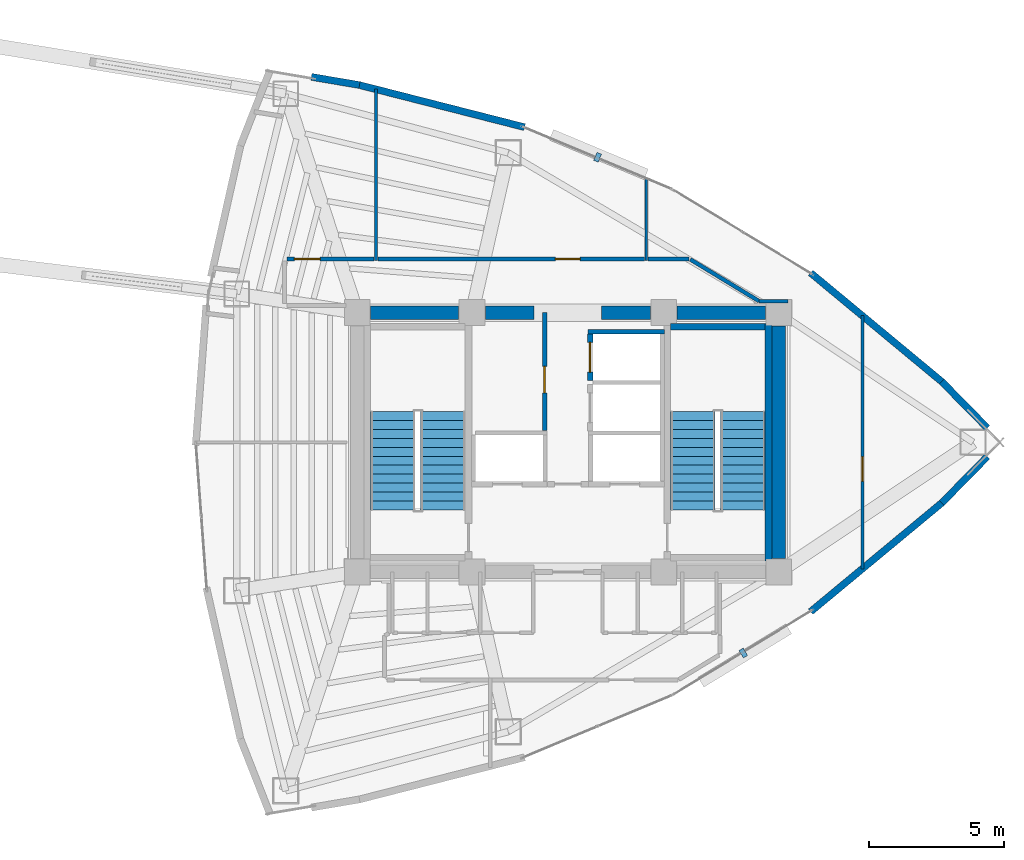
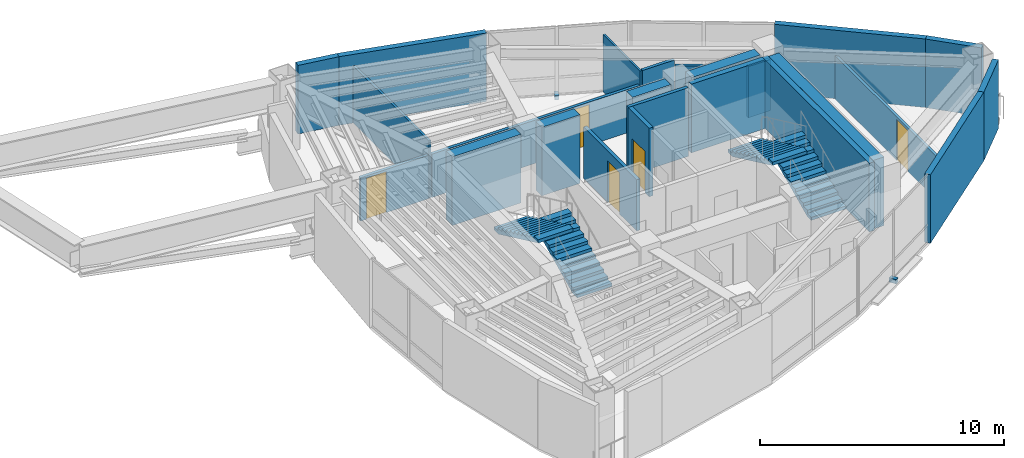
# One storey, part 12 of 14: 24 walls, 5 doors, 4 stair flights, 2 discrete accessories, 5 openings, 2 elements without a shape of their own.
"""IFC4 building model written with IfcOpenShell, lengths in metres."""

from ifc_helpers import new_model, si_unit, direction, frame, frame_2d, origin, origin_2d, place, context, subcontext, project, spatial, polyline, rectangle, outline, extrude, material, layer, layer_set, type_object, element, fill, aggregate, save


model = new_model("IFC4")

# Units and contexts
model_context = context("Model", 3, precision=1e-05, world=origin(), true_north=direction((0.0, 1.0)))
body_context = subcontext(model_context, "Body", "Model", "MODEL_VIEW")
ifc_project = project(units=[si_unit("LENGTHUNIT", "METRE"), si_unit("AREAUNIT", "SQUARE_METRE"), si_unit("VOLUMEUNIT", "CUBIC_METRE"), si_unit("PLANEANGLEUNIT", "RADIAN"), si_unit("MASSUNIT", "GRAM", prefix="KILO")], contexts=[model_context])

# Site, building, storey
site_placement = place(None, origin())
site = spatial("IfcSite", under=ifc_project, at=site_placement, CompositionType="ELEMENT")
building_placement = place(site_placement, origin())
building = spatial("IfcBuilding", under=site, at=building_placement, Name="Menara Vayukalpa", CompositionType="ELEMENT")
storey_placement = place(building_placement, frame((0.0, 0.0, 191.52001953125)))
storey = spatial("IfcBuildingStorey", under=building, at=storey_placement, Name="L48", CompositionType="ELEMENT", Elevation=191.52001953125)

# Walls
ifc_material_1 = material(Name="Concrete C60/75", Category="concrete")
ifc_layer_1 = layer(ifc_material_1, 0.5)
ifc_layer_set_1 = layer_set([ifc_layer_1], Name="Concrete C60/75")
wall_type_1 = type_object("IfcWallType", Name="WAL-CW500", PredefinedType="SHEAR", material=ifc_layer_set_1)
wall_1_placement = place(storey_placement, frame((18.294921875, 26.800048828125, 0.0), z_axis=(0.0, 0.0, 1.0), x_axis=(1.0, 0.0, 0.0)))
element("IfcWall", 1, at=wall_1_placement, inside=storey, type_object=wall_type_1, Name="L48 Buttressed Core Shear Wall CWN1", PredefinedType="SHEAR", context=body_context, shape_type="SweptSolid", body=[
    extrude(rectangle(XDim=3.260009765625, YDim=0.5, at=frame_2d((1.6298828125, 0.0))), origin(), (0.0, 0.0, 1.0), 3.43994140625),
])
wall_2_placement = place(storey_placement, frame((22.544921875, 26.800048828125, 0.0), z_axis=(0.0, 0.0, 1.0), x_axis=(1.0, 0.0, 0.0)))
element("IfcWall", 2, at=wall_2_placement, inside=storey, type_object=wall_type_1, Name="L48 Buttressed Core Shear Wall CWN2", PredefinedType="SHEAR", context=body_context, shape_type="SweptSolid", body=[
    extrude(rectangle(XDim=1.80517578125, YDim=0.5, at=frame_2d((0.902587890625, 0.0))), origin(), (0.0, 0.0, 1.0), 3.43994140625),
])
wall_3_placement = place(storey_placement, frame((26.85009765625, 26.800048828125, 0.0), z_axis=(0.0, 0.0, 1.0), x_axis=(1.0, 0.0, 0.0)))
element("IfcWall", 3, at=wall_3_placement, inside=storey, type_object=wall_type_1, Name="L48 Buttressed Core Shear Wall CWN3", PredefinedType="SHEAR", context=body_context, shape_type="SweptSolid", body=[
    extrude(rectangle(XDim=1.804931640625, YDim=0.5, at=frame_2d((0.90234375, 0.0))), origin(), (0.0, 0.0, 1.0), 3.43994140625),
])
wall_4_placement = place(storey_placement, frame((29.64501953125, 26.800048828125, 0.0), z_axis=(0.0, 0.0, 1.0), x_axis=(1.0, 0.0, 0.0)))
element("IfcWall", 4, at=wall_4_placement, inside=storey, type_object=wall_type_1, Name="L48 Buttressed Core Shear Wall CWN4", PredefinedType="SHEAR", context=body_context, shape_type="SweptSolid", body=[
    extrude(rectangle(XDim=3.260009765625, YDim=0.5, at=frame_2d((1.6298828125, 0.0))), origin(), (0.0, 0.0, 1.0), 3.43994140625),
])
wall_5_placement = place(storey_placement, frame((33.39990234375, 17.695068359375, 0.0), z_axis=(0.0, 0.0, 1.0), x_axis=(0.0, 1.0, 0.0)))
element("IfcWall", 5, at=wall_5_placement, inside=storey, type_object=wall_type_1, Name="L48 Buttressed Core Shear Wall CWE1", PredefinedType="SHEAR", context=body_context, shape_type="SweptSolid", body=[
    extrude(rectangle(XDim=8.60986328125, YDim=0.5, at=frame_2d((4.304931640625, 0.0))), origin(), (0.0, 0.0, 1.0), 3.43994140625),
])
ifc_material_2 = material(Name="Insulated Precast Concrete C40/50", Category="concrete")
ifc_layer_2 = layer(ifc_material_2, 0.260009765625)
ifc_layer_set_2 = layer_set([ifc_layer_2], Name="Insulated Precast Concrete C40/50")
wall_type_2 = type_object("IfcWallType", Name="WAL-EXT260", PredefinedType="PARTITIONING", material=ifc_layer_set_2)
for number, where, z_axis, x_axis, name in (
    (6, (41.11669921875, 21.466552734375, 0.0), (0.0, 0.0, 1.0), (-0.700567481584, -0.7135861572, 0.0), "L48 Perimeter Terracotta Pier Wall 01"),
    (7, (39.43505859375, 24.246337890625, 0.0), (0.0, 0.0, 1.0), (0.700567481584, -0.7135861572, 0.0), "L48 Perimeter Terracotta Pier Wall 02"),
):
    element("IfcWall", number, at=place(storey_placement, frame(where, z_axis=z_axis, x_axis=x_axis)), inside=storey, type_object=wall_type_2, Name=name, PredefinedType="PARTITIONING", context=body_context, shape_type="SweptSolid", body=[
        extrude(rectangle(XDim=2.400390625, YDim=0.260009765625, at=frame_2d((1.2001953125, 0.0))), origin(), (0.0, 0.0, 1.0), 3.43994140625),
    ])
wall_6_placement = place(storey_placement, frame((34.58251953125, 28.26953125, 0.0), z_axis=(0.0, 0.0, 1.0), x_axis=(0.769765373155, -0.638326930571, 0.0)))
element("IfcWall", 8, at=wall_6_placement, inside=storey, type_object=wall_type_2, Name="L48 Perimeter Terracotta Pier Wall 03", PredefinedType="PARTITIONING", context=body_context, shape_type="SweptSolid", body=[
    extrude(rectangle(XDim=6.3154296875, YDim=0.260009765625, at=frame_2d((3.15771484375, 0.0))), origin(), (0.0, 0.0, 1.0), 3.43994140625),
])
wall_7_placement = place(storey_placement, frame((17.8759765625, 35.22216796875, 0.0), z_axis=(0.0, 0.0, 1.0), x_axis=(0.968976240439, -0.247153890246, 0.0)))
element("IfcWall", 9, at=wall_7_placement, inside=storey, type_object=wall_type_2, Name="L48 Perimeter Terracotta Pier Wall 06", PredefinedType="PARTITIONING", context=body_context, shape_type="SweptSolid", body=[
    extrude(rectangle(XDim=6.31494140625, YDim=0.260009765625, at=frame_2d((3.157470703125, 0.0))), origin(), (0.0, 0.0, 1.0), 3.43994140625),
])
wall_8_placement = place(storey_placement, frame((16.10693359375, 35.52197265625, 0.0), z_axis=(0.0, 0.0, 1.0), x_axis=(0.985877723898, -0.167466753484, 0.0)))
element("IfcWall", 10, at=wall_8_placement, inside=storey, type_object=wall_type_2, Name="L48 Perimeter Terracotta Pier Wall 07", PredefinedType="PARTITIONING", context=body_context, shape_type="SweptSolid", body=[
    extrude(rectangle(XDim=1.80615234375, YDim=0.260009765625, at=frame_2d((0.903076171875, 0.0))), origin(), (0.0, 0.0, 1.0), 3.43994140625),
])
wall_9_placement = place(storey_placement, frame((39.44384765625, 19.76171875, 0.0), z_axis=(0.0, 0.0, 1.0), x_axis=(-0.769765373155, -0.638326930571, 0.0)))
element("IfcWall", 11, at=wall_9_placement, inside=storey, type_object=wall_type_2, Name="L48 Perimeter Terracotta Pier Wall 18", PredefinedType="PARTITIONING", context=body_context, shape_type="SweptSolid", body=[
    extrude(rectangle(XDim=6.3154296875, YDim=0.260009765625, at=frame_2d((3.15771484375, 0.0))), origin(), (0.0, 0.0, 1.0), 3.43994140625),
])
ifc_material_3 = material(Name="Lightweight Concrete Blockwork C16/20", Category="masonry")
ifc_layer_3 = layer(ifc_material_3, 0.159912109375)
ifc_layer_set_3 = layer_set([ifc_layer_3], Name="Lightweight Concrete Blockwork C16/20")
wall_type_3 = type_object("IfcWallType", Name="WAL-FR150", PredefinedType="PARTITIONING", material=ifc_layer_set_3)
wall_10_placement = place(storey_placement, frame((26.340087890625, 26.0849609375, 0.0), z_axis=(0.0, 0.0, 1.0), x_axis=(1.0, 0.0, 0.0)))
element("IfcWall", 12, at=wall_10_placement, inside=storey, type_object=wall_type_3, Name="L48 Interior Partition IW-L48-SHM-E2N", PredefinedType="PARTITIONING", context=body_context, shape_type="SweptSolid", body=[
    extrude(rectangle(XDim=2.829833984375, YDim=0.159912109375, at=frame_2d((1.4150390625, 0.0))), origin(), (0.0, 0.0, 1.0), 3.43994140625),
])

# Wall, opening, door
wall_11_placement = place(storey_placement, frame((24.739990234375, 22.429931640625, 0.0), z_axis=(0.0, 0.0, 1.0), x_axis=(0.0, 1.0, 0.0)))
wall_11 = element("IfcWall", 13, at=wall_11_placement, inside=storey, type_object=wall_type_3, Name="L48 Interior Partition IW-L48-LV7W", PredefinedType="PARTITIONING", context=body_context, shape_type="SweptSolid", body=[
    extrude(rectangle(XDim=4.3701171875, YDim=0.159912109375, at=frame_2d((2.18505859375, 0.0))), origin(), (0.0, 0.0, 1.0), 2.570068359375),
])
opening_1_placement = place(wall_11_placement, frame((1.39990234375, 0.0, 0.0)))
opening_1 = element("IfcOpeningElement", 14, at=opening_1_placement, cuts=wall_11, Name="Opening ID3", PredefinedType="OPENING", context=body_context, shape_type="SweptSolid", body=[
    extrude(rectangle(XDim=0.97998046875, YDim=2.06005859375, at=frame_2d((0.489990234375, 1.030029296875))), frame((0.0, 0.08984375, 0.0), z_axis=(0.0, -1.0, 0.0), x_axis=(1.0, 0.0, 0.0)), (0.0, 0.0, 1.0), 0.179931640625),
])
ifc_material_4 = material(Name="Fire-Rated Powder-Coated Steel Door", Category="steel")
door_type_1 = type_object("IfcDoorType", Name="DR-FD60", OperationType="NOTDEFINED", PredefinedType="DOOR", material=ifc_material_4)
door_1_placement = place(opening_1_placement, origin())
door_1 = element("IfcDoor", 15, at=door_1_placement, inside=storey, type_object=door_type_1, Name="L48 Interior Door DR-L48-LV7W", OperationType="SINGLE_SWING_RIGHT", OverallHeight=2.06005859375, OverallWidth=0.97998046875, PredefinedType="DOOR", context=body_context, shape_type="SweptSolid", body=[
    extrude(rectangle(XDim=0.97998046875, YDim=2.06005859375, at=frame_2d((0.489990234375, 1.030029296875))), frame((0.0, 0.02490234375, 0.0), z_axis=(0.0, -1.0, 0.0), x_axis=(1.0, 0.0, 0.0)), (0.0, 0.0, 1.0), 0.050048828125),
])
fill(opening_1, door_1)

ifc_material_5 = material(Name="Lightweight Concrete Blockwork C16/20", Category="masonry")
ifc_layer_4 = layer(ifc_material_5, 0.199951171875)
ifc_layer_set_4 = layer_set([ifc_layer_4], Name="Lightweight Concrete Blockwork C16/20")
wall_type_4 = type_object("IfcWallType", Name="WAL-FR200", PredefinedType="PARTITIONING", material=ifc_layer_set_4)
wall_12_placement = place(storey_placement, frame((26.419921875, 24.2900390625, 0.0), z_axis=(0.0, 0.0, 1.0), x_axis=(0.0, 1.0, 0.0)))
wall_12 = element("IfcWall", 16, at=wall_12_placement, inside=storey, type_object=wall_type_4, Name="L48 Interior Partition IW-L48-SH-E2", PredefinedType="PARTITIONING", context=body_context, shape_type="SweptSolid", body=[
    extrude(rectangle(XDim=1.719970703125, YDim=0.199951171875, at=frame_2d((0.85986328125, 0.0))), origin(), (0.0, 0.0, 1.0), 3.43994140625),
])
opening_2_placement = place(wall_12_placement, frame((0.31005859375, 0.0, 0.0)))
opening_2 = element("IfcOpeningElement", 17, at=opening_2_placement, cuts=wall_12, Name="Opening LD1", PredefinedType="OPENING", context=body_context, shape_type="SweptSolid", body=[
    extrude(rectangle(XDim=1.10009765625, YDim=2.080078125, at=frame_2d((0.550048828125, 1.0400390625))), frame((0.0, 0.10986328125, 0.0), z_axis=(0.0, -1.0, 0.0), x_axis=(1.0, 0.0, 0.0)), (0.0, 0.0, 1.0), 0.219970703125),
])
ifc_material_6 = material(Name="Brushed Stainless Steel 316 Lift Door", Category="steel")
door_type_2 = type_object("IfcDoorType", Name="DR-LD110", OperationType="NOTDEFINED", PredefinedType="DOOR", material=ifc_material_6)
door_2_placement = place(opening_2_placement, origin())
door_2 = element("IfcDoor", 18, at=door_2_placement, inside=storey, type_object=door_type_2, Name="L48 Interior Door DR-L48-LD-E2", OperationType="DOUBLE_DOOR_SLIDING", OverallHeight=2.080078125, OverallWidth=1.10009765625, PredefinedType="DOOR", context=body_context, shape_type="SweptSolid", body=[
    extrude(rectangle(XDim=1.10009765625, YDim=2.080078125, at=frame_2d((0.550048828125, 1.0400390625))), frame((0.0, 0.02490234375, 0.0), z_axis=(0.0, -1.0, 0.0), x_axis=(1.0, 0.0, 0.0)), (0.0, 0.0, 1.0), 0.050048828125),
])
fill(opening_2, door_2)

# Walls
ifc_material_7 = material(Name="Glazed Demountable Office Partition", Category="glass")
ifc_layer_5 = layer(ifc_material_7, 0.094970703125)
ifc_layer_set_5 = layer_set([ifc_layer_5], Name="Glazed Demountable Office Partition")
wall_type_5 = type_object("IfcWallType", Name="WAL-PT100", PredefinedType="PARTITIONING", material=ifc_layer_set_5)
wall_13_placement = place(storey_placement, frame((28.5, 28.72998046875, 0.0), z_axis=(0.0, 0.0, 1.0), x_axis=(0.0, 1.0, 0.0)))
element("IfcWall", 19, at=wall_13_placement, inside=storey, type_object=wall_type_5, Name="L48 Interior Partition IW-L48-RDIV02", PredefinedType="PARTITIONING", context=body_context, shape_type="SweptSolid", body=[
    extrude(rectangle(XDim=3.04052734375, YDim=0.094970703125, at=frame_2d((1.520263671875, 0.0))), origin(), (0.0, 0.0, 1.0), 2.869873046875),
])
ifc_material_8 = material(Name="Acoustic Mineral Stud Partition", Category="masonry")
ifc_layer_6 = layer(ifc_material_8, 0.110107421875)
ifc_layer_set_6 = layer_set([ifc_layer_6], Name="Acoustic Mineral Stud Partition")
wall_type_6 = type_object("IfcWallType", Name="WAL-PT110", PredefinedType="PARTITIONING", material=ifc_layer_set_6)
wall_14_placement = place(storey_placement, frame((18.5, 28.72998046875, 0.0), z_axis=(0.0, 0.0, 1.0), x_axis=(0.0, 1.0, 0.0)))
element("IfcWall", 20, at=wall_14_placement, inside=storey, type_object=wall_type_6, Name="L48 Interior Partition IW-L48-RDIV01", PredefinedType="PARTITIONING", context=body_context, shape_type="SweptSolid", body=[
    extrude(rectangle(XDim=6.34326171875, YDim=0.110107421875, at=frame_2d((3.171630859375, 0.0))), origin(), (0.0, 0.0, 1.0), 2.869873046875),
])

# Wall, opening, door
ifc_material_9 = material(Name="Gypsum Drywall Steel Stud Assembly", Category="steel")
ifc_layer_7 = layer(ifc_material_9, 0.125)
ifc_layer_set_7 = layer_set([ifc_layer_7], Name="Gypsum Drywall Steel Stud Assembly")
wall_type_7 = type_object("IfcWallType", Name="WAL-PT125", PredefinedType="PARTITIONING", material=ifc_layer_set_7)
wall_15_placement = place(storey_placement, frame((36.5, 17.3076171875, 0.0), z_axis=(0.0, 0.0, 1.0), x_axis=(0.0, 1.0, 0.0)))
wall_15 = element("IfcWall", 21, at=wall_15_placement, inside=storey, type_object=wall_type_7, Name="L48 Interior Partition IW-L48-RDIV03", PredefinedType="PARTITIONING", context=body_context, shape_type="SweptSolid", body=[
    extrude(rectangle(XDim=9.384765625, YDim=0.125, at=frame_2d((4.6923828125, 0.0))), origin(), (0.0, 0.0, 1.0), 2.169921875),
])
opening_3_placement = place(wall_15_placement, frame((3.244384765625, 0.0, 0.0)))
opening_3 = element("IfcOpeningElement", 22, at=opening_3_placement, cuts=wall_15, Name="Opening ID6", PredefinedType="OPENING", context=body_context, shape_type="SweptSolid", body=[
    extrude(rectangle(XDim=0.919921875, YDim=2.050048828125, at=frame_2d((0.4599609375, 1.02490234375))), frame((0.0, 0.072509765625, 0.0), z_axis=(0.0, -1.0, 0.0), x_axis=(1.0, 0.0, 0.0)), (0.0, 0.0, 1.0), 0.14501953125),
])
ifc_material_10 = material(Name="Acoustic Hardwood Veneer Timber Door", Category="wood")
door_type_3 = type_object("IfcDoorType", Name="DR-INT92", OperationType="NOTDEFINED", PredefinedType="DOOR", material=ifc_material_10)
door_3_placement = place(opening_3_placement, origin())
door_3 = element("IfcDoor", 23, at=door_3_placement, inside=storey, type_object=door_type_3, Name="L48 Interior Door DR-L48-STE03", OperationType="SINGLE_SWING_LEFT", OverallHeight=2.050048828125, OverallWidth=0.919921875, PredefinedType="DOOR", context=body_context, shape_type="SweptSolid", body=[
    extrude(rectangle(XDim=0.919921875, YDim=2.050048828125, at=frame_2d((0.4599609375, 1.02490234375))), frame((0.0, 0.02490234375, 0.0), z_axis=(0.0, -1.0, 0.0), x_axis=(1.0, 0.0, 0.0)), (0.0, 0.0, 1.0), 0.050048828125),
])
fill(opening_3, door_3)

# Walls
ifc_material_11 = material(Name="Gypsum Drywall Acoustic Stud Assembly", Category="masonry")
ifc_layer_8 = layer(ifc_material_11, 0.14501953125)
ifc_layer_set_8 = layer_set([ifc_layer_8], Name="Gypsum Drywall Acoustic Stud Assembly")
wall_type_8 = type_object("IfcWallType", Name="WAL-PT150", PredefinedType="PARTITIONING", material=ifc_layer_set_8)
wall_16_placement = place(storey_placement, frame((33.739990234375, 27.219970703125, 0.0), z_axis=(0.0, 0.0, 1.0), x_axis=(-1.0, 0.0, 0.0)))
element("IfcWall", 24, at=wall_16_placement, inside=storey, type_object=wall_type_8, Name="L48 Interior Partition IW-L48-CRM02-5", PredefinedType="PARTITIONING", context=body_context, shape_type="SweptSolid", body=[
    extrude(rectangle(XDim=1.0625, YDim=0.14501953125, at=frame_2d((0.53125, 0.0))), origin(), (0.0, 0.0, 1.0), 2.570068359375),
])
wall_17_placement = place(storey_placement, frame((32.677490234375, 27.219970703125, 0.0), z_axis=(0.0, 0.0, 1.0), x_axis=(-0.854662977584, 0.519183199601, 0.0)))
element("IfcWall", 25, at=wall_17_placement, inside=storey, type_object=wall_type_8, Name="L48 Interior Partition IW-L48-CRM02-6", PredefinedType="PARTITIONING", context=body_context, shape_type="SweptSolid", body=[
    extrude(rectangle(XDim=2.982177734375, YDim=0.14501953125, at=frame_2d((1.4912109375, 0.0))), origin(), (0.0, 0.0, 1.0), 2.570068359375),
])
wall_18_placement = place(storey_placement, frame((30.087158203125, 28.780029296875, 0.0), z_axis=(0.0, 0.0, 1.0), x_axis=(-1.0, 0.0, 0.0)))
element("IfcWall", 26, at=wall_18_placement, inside=storey, type_object=wall_type_8, Name="L48 Interior Partition IW-L48-CRM02-7", PredefinedType="PARTITIONING", context=body_context, shape_type="SweptSolid", body=[
    extrude(rectangle(XDim=1.51708984375, YDim=0.14501953125, at=frame_2d((0.758544921875, 0.0))), origin(), (0.0, 0.0, 1.0), 2.869873046875),
])

# Wall, opening, door
wall_19_placement = place(storey_placement, frame((28.429931640625, 28.780029296875, 0.0), z_axis=(0.0, 0.0, 1.0), x_axis=(-1.0, 0.0, 0.0)))
wall_19 = element("IfcWall", 27, at=wall_19_placement, inside=storey, type_object=wall_type_8, Name="L48 Interior Partition IW-L48-CRM04-1", PredefinedType="PARTITIONING", context=body_context, shape_type="SweptSolid", body=[
    extrude(rectangle(XDim=9.85986328125, YDim=0.14501953125, at=frame_2d((4.929931640625, 0.0))), origin(), (0.0, 0.0, 1.0), 2.169921875),
])
opening_4_placement = place(wall_19_placement, frame((2.375, 0.0, 0.0)))
opening_4 = element("IfcOpeningElement", 28, at=opening_4_placement, cuts=wall_19, Name="Opening ID6", PredefinedType="OPENING", context=body_context, shape_type="SweptSolid", body=[
    extrude(rectangle(XDim=0.919921875, YDim=2.050048828125, at=frame_2d((0.4599609375, 1.02490234375))), frame((0.0, 0.08251953125, 0.0), z_axis=(0.0, -1.0, 0.0), x_axis=(1.0, 0.0, 0.0)), (0.0, 0.0, 1.0), 0.1650390625),
])
door_4_placement = place(opening_4_placement, origin())
door_4 = element("IfcDoor", 29, at=door_4_placement, inside=storey, type_object=door_type_3, Name="L48 Interior Door DR-L48-RM04", OperationType="SINGLE_SWING_LEFT", OverallHeight=2.050048828125, OverallWidth=0.919921875, PredefinedType="DOOR", context=body_context, shape_type="SweptSolid", body=[
    extrude(rectangle(XDim=0.919921875, YDim=2.050048828125, at=frame_2d((0.4599609375, 1.02490234375))), frame((0.0, 0.02490234375, 0.0), z_axis=(0.0, -1.0, 0.0), x_axis=(1.0, 0.0, 0.0)), (0.0, 0.0, 1.0), 0.050048828125),
])
fill(opening_4, door_4)

wall_20_placement = place(storey_placement, frame((18.429931640625, 28.780029296875, 0.0), z_axis=(0.0, 0.0, 1.0), x_axis=(-1.0, 0.0, 0.0)))
wall_20 = element("IfcWall", 30, at=wall_20_placement, inside=storey, type_object=wall_type_8, Name="L48 Interior Partition IW-L48-CRM05-1", PredefinedType="PARTITIONING", context=body_context, shape_type="SweptSolid", body=[
    extrude(rectangle(XDim=3.22998046875, YDim=0.14501953125, at=frame_2d((1.614990234375, 0.0))), origin(), (0.0, 0.0, 1.0), 2.169921875),
])
opening_5_placement = place(wall_20_placement, frame((2.0, 0.0, 0.0)))
opening_5 = element("IfcOpeningElement", 31, at=opening_5_placement, cuts=wall_20, Name="Opening ID5", PredefinedType="OPENING", context=body_context, shape_type="SweptSolid", body=[
    extrude(rectangle(XDim=0.949951171875, YDim=2.06005859375, at=frame_2d((0.47509765625, 1.030029296875))), frame((0.0, 0.08251953125, 0.0), z_axis=(0.0, -1.0, 0.0), x_axis=(1.0, 0.0, 0.0)), (0.0, 0.0, 1.0), 0.1650390625),
])
ifc_material_12 = material(Name="Acoustic Hardwood Veneer Timber Door", Category="wood")
door_type_4 = type_object("IfcDoorType", Name="DR-INT95", OperationType="NOTDEFINED", PredefinedType="DOOR", material=ifc_material_12)
door_5_placement = place(opening_5_placement, origin())
door_5 = element("IfcDoor", 32, at=door_5_placement, inside=storey, type_object=door_type_4, Name="L48 Interior Door DR-L48-RM05", OperationType="SINGLE_SWING_RIGHT", OverallHeight=2.06005859375, OverallWidth=0.949951171875, PredefinedType="DOOR", context=body_context, shape_type="SweptSolid", body=[
    extrude(rectangle(XDim=0.949951171875, YDim=2.06005859375, at=frame_2d((0.47509765625, 1.030029296875))), frame((0.0, 0.02490234375, 0.0), z_axis=(0.0, -1.0, 0.0), x_axis=(1.0, 0.0, 0.0)), (0.0, 0.0, 1.0), 0.050048828125),
])
fill(opening_5, door_5)

# Walls
ifc_material_13 = material(Name="Concrete C50/60", Category="concrete")
ifc_layer_9 = layer(ifc_material_13, 0.25)
ifc_layer_set_9 = layer_set([ifc_layer_9], Name="Concrete C50/60")
wall_type_9 = type_object("IfcWallType", Name="WAL-SW250", PredefinedType="SHEAR", material=ifc_layer_set_9)
wall_21_placement = place(storey_placement, frame((33.02099609375, 17.60009765625, 0.0), z_axis=(0.0, 0.0, 1.0), x_axis=(0.0, 1.0, 0.0)))
element("IfcWall", 33, at=wall_21_placement, inside=storey, type_object=wall_type_9, Name="L48 ST2 Structural Stair Shaft Wall E", PredefinedType="SHEAR", context=body_context, shape_type="SweptSolid", body=[
    extrude(rectangle(XDim=8.7998046875, YDim=0.25, at=frame_2d((4.39990234375, 0.0))), origin(), (0.0, 0.0, 1.0), 3.43994140625),
])
wall_22_placement = place(storey_placement, frame((29.39990234375, 26.27490234375, 0.0), z_axis=(0.0, 0.0, 1.0), x_axis=(1.0, 0.0, 0.0)))
element("IfcWall", 34, at=wall_22_placement, inside=storey, type_object=wall_type_9, Name="L48 ST2 Structural Stair Shaft Wall N", PredefinedType="SHEAR", context=body_context, shape_type="SweptSolid", body=[
    extrude(rectangle(XDim=3.49609375, YDim=0.25, at=frame_2d((1.748046875, 0.0))), origin(), (0.0, 0.0, 1.0), 3.43994140625),
])

# Stair, stair flights
ifc_material_14 = material(Name="Precast Concrete C40/50", Category="concrete")
stair_type = type_object("IfcStairType", Name="STR-T04", PredefinedType="DOUBLE_RETURN_STAIR", material=ifc_material_14)
stair_1_placement = place(storey_placement, origin())
stair_1 = element("IfcStair", 35, at=stair_1_placement, inside=storey, type_object=stair_type, Name="L48 Core Exit Stair ST-1", PredefinedType="DOUBLE_RETURN_STAIR")
ifc_material_15 = material(Name="Precast Concrete C40/50", Category="concrete")
stair_flight_type = type_object("IfcStairFlightType", Name="STF-T04", PredefinedType="STRAIGHT", material=ifc_material_15)
stair_flight_1_placement = place(storey_placement, frame((20.97509765625, 19.5, 0.0), z_axis=(0.0, 0.0, 1.0), x_axis=(0.0, 1.0, 0.0)))
stair_flight_1 = element("IfcStairFlight", 36, at=stair_flight_1_placement, type_object=stair_flight_type, Name="ST-1 flight 1", NumberOfRisers=12, NumberOfTreads=11, PredefinedType="STRAIGHT", RiserHeight=0.155, TreadLength=0.33, context=body_context, shape_type="SweptSolid", body=[
    extrude(outline(polyline([(0.0, 0.0), (0.0, 0.155029296875), (0.330078125, 0.155029296875), (0.330078125, 0.31005859375), (0.659912109375, 0.31005859375), (0.659912109375, 0.465087890625), (0.989990234375, 0.465087890625), (0.989990234375, 0.6201171875), (1.320068359375, 0.6201171875), (1.320068359375, 0.77490234375), (1.64990234375, 0.77490234375), (1.64990234375, 0.929931640625), (1.97998046875, 0.929931640625), (1.97998046875, 1.0849609375), (2.31005859375, 1.0849609375), (2.31005859375, 1.239990234375), (2.639892578125, 1.239990234375), (2.639892578125, 1.39501953125), (2.969970703125, 1.39501953125), (2.969970703125, 1.550048828125), (3.300048828125, 1.550048828125), (3.300048828125, 1.705078125), (3.6298828125, 1.705078125), (3.6298828125, 1.860107421875), (3.6298828125, 1.539306640625), (0.3525390625, 0.0), (0.0, 0.0)])), frame((0.0, 0.824951171875, 0.0), z_axis=(0.0, -1.0, 0.0), x_axis=(1.0, 0.0, 0.0)), (0.0, 0.0, 1.0), 1.64990234375),
])
stair_flight_2_placement = place(storey_placement, frame((19.125, 23.1298828125, 1.85986328125), z_axis=(0.0, 0.0, 1.0), x_axis=(0.0, -1.0, 0.0)))
stair_flight_2 = element("IfcStairFlight", 37, at=stair_flight_2_placement, type_object=stair_flight_type, Name="ST-1 flight 2", NumberOfRisers=12, NumberOfTreads=11, PredefinedType="STRAIGHT", RiserHeight=0.155, TreadLength=0.33, context=body_context, shape_type="SweptSolid", body=[
    extrude(outline(polyline([(0.0, 0.0), (0.0, 0.155029296875), (0.330078125, 0.155029296875), (0.330078125, 0.31005859375), (0.659912109375, 0.31005859375), (0.659912109375, 0.465087890625), (0.989990234375, 0.465087890625), (0.989990234375, 0.6201171875), (1.320068359375, 0.6201171875), (1.320068359375, 0.77490234375), (1.64990234375, 0.77490234375), (1.64990234375, 0.929931640625), (1.97998046875, 0.929931640625), (1.97998046875, 1.0849609375), (2.31005859375, 1.0849609375), (2.31005859375, 1.239990234375), (2.639892578125, 1.239990234375), (2.639892578125, 1.39501953125), (2.969970703125, 1.39501953125), (2.969970703125, 1.550048828125), (3.300048828125, 1.550048828125), (3.300048828125, 1.705078125), (3.6298828125, 1.705078125), (3.6298828125, 1.860107421875), (3.6298828125, 1.539306640625), (0.3525390625, 0.0), (0.0, 0.0)])), frame((0.0, 0.824951171875, 0.0), z_axis=(0.0, -1.0, 0.0), x_axis=(1.0, 0.0, 0.0)), (0.0, 0.0, 1.0), 1.64990234375),
])
aggregate(stair_1, [stair_flight_1, stair_flight_2])

stair_2_placement = place(storey_placement, origin())
stair_2 = element("IfcStair", 38, at=stair_2_placement, inside=storey, type_object=stair_type, Name="L48 Core Exit Stair ST-2", PredefinedType="DOUBLE_RETURN_STAIR")
stair_flight_3_placement = place(storey_placement, frame((32.074951171875, 19.5, 0.0), z_axis=(0.0, 0.0, 1.0), x_axis=(0.0, 1.0, 0.0)))
stair_flight_3 = element("IfcStairFlight", 39, at=stair_flight_3_placement, type_object=stair_flight_type, Name="ST-2 flight 1", NumberOfRisers=12, NumberOfTreads=11, PredefinedType="STRAIGHT", RiserHeight=0.155, TreadLength=0.33, context=body_context, shape_type="SweptSolid", body=[
    extrude(outline(polyline([(0.0, 0.0), (0.0, 0.155029296875), (0.330078125, 0.155029296875), (0.330078125, 0.31005859375), (0.659912109375, 0.31005859375), (0.659912109375, 0.465087890625), (0.989990234375, 0.465087890625), (0.989990234375, 0.6201171875), (1.320068359375, 0.6201171875), (1.320068359375, 0.77490234375), (1.64990234375, 0.77490234375), (1.64990234375, 0.929931640625), (1.97998046875, 0.929931640625), (1.97998046875, 1.0849609375), (2.31005859375, 1.0849609375), (2.31005859375, 1.239990234375), (2.639892578125, 1.239990234375), (2.639892578125, 1.39501953125), (2.969970703125, 1.39501953125), (2.969970703125, 1.550048828125), (3.300048828125, 1.550048828125), (3.300048828125, 1.705078125), (3.6298828125, 1.705078125), (3.6298828125, 1.860107421875), (3.6298828125, 1.539306640625), (0.3525390625, 0.0), (0.0, 0.0)])), frame((0.0, 0.824951171875, 0.0), z_axis=(0.0, -1.0, 0.0), x_axis=(1.0, 0.0, 0.0)), (0.0, 0.0, 1.0), 1.64990234375),
])
stair_flight_4_placement = place(storey_placement, frame((30.22509765625, 23.1298828125, 1.85986328125), z_axis=(0.0, 0.0, 1.0), x_axis=(0.0, -1.0, 0.0)))
stair_flight_4 = element("IfcStairFlight", 40, at=stair_flight_4_placement, type_object=stair_flight_type, Name="ST-2 flight 2", NumberOfRisers=12, NumberOfTreads=11, PredefinedType="STRAIGHT", RiserHeight=0.155, TreadLength=0.33, context=body_context, shape_type="SweptSolid", body=[
    extrude(outline(polyline([(0.0, 0.0), (0.0, 0.155029296875), (0.330078125, 0.155029296875), (0.330078125, 0.31005859375), (0.659912109375, 0.31005859375), (0.659912109375, 0.465087890625), (0.989990234375, 0.465087890625), (0.989990234375, 0.6201171875), (1.320068359375, 0.6201171875), (1.320068359375, 0.77490234375), (1.64990234375, 0.77490234375), (1.64990234375, 0.929931640625), (1.97998046875, 0.929931640625), (1.97998046875, 1.0849609375), (2.31005859375, 1.0849609375), (2.31005859375, 1.239990234375), (2.639892578125, 1.239990234375), (2.639892578125, 1.39501953125), (2.969970703125, 1.39501953125), (2.969970703125, 1.550048828125), (3.300048828125, 1.550048828125), (3.300048828125, 1.705078125), (3.6298828125, 1.705078125), (3.6298828125, 1.860107421875), (3.6298828125, 1.539306640625), (0.3525390625, 0.0), (0.0, 0.0)])), frame((0.0, 0.824951171875, 0.0), z_axis=(0.0, -1.0, 0.0), x_axis=(1.0, 0.0, 0.0)), (0.0, 0.0, 1.0), 1.64990234375),
])
aggregate(stair_2, [stair_flight_3, stair_flight_4])

# Discrete accessories
ifc_material_16 = material(Name="Stainless Steel 316 Sunshade Bracket", Category="steel")
discrete_accessory_type = type_object("IfcDiscreteAccessoryType", Name="ACC-BRK1", PredefinedType="BRACKET", material=ifc_material_16)
for number, where, z_axis, x_axis, name in (
    (41, (26.69775390625, 32.5458984375, -0.16015625), (0.0, 0.0, 1.0), (-0.922538089456, 0.385906042324, 0.0), "L48 Terracotta Sunshade Bracket 05"),
    (42, (32.091064453125, 14.20068359375, -0.16015625), (0.0, 0.0, 1.0), (0.85466730962, 0.519176068272, 0.0), "L48 Terracotta Sunshade Bracket 17"),
):
    element("IfcDiscreteAccessory", number, at=place(storey_placement, frame(where, z_axis=z_axis, x_axis=x_axis)), inside=storey, type_object=discrete_accessory_type, Name=name, PredefinedType="BRACKET", context=body_context, shape_type="SweptSolid", body=[
        extrude(rectangle(XDim=0.179931640625, YDim=0.320068359375, at=origin_2d()), origin(), (0.0, 0.0, 1.0), 0.219970703125),
    ])

save(model, "model.ifc")
